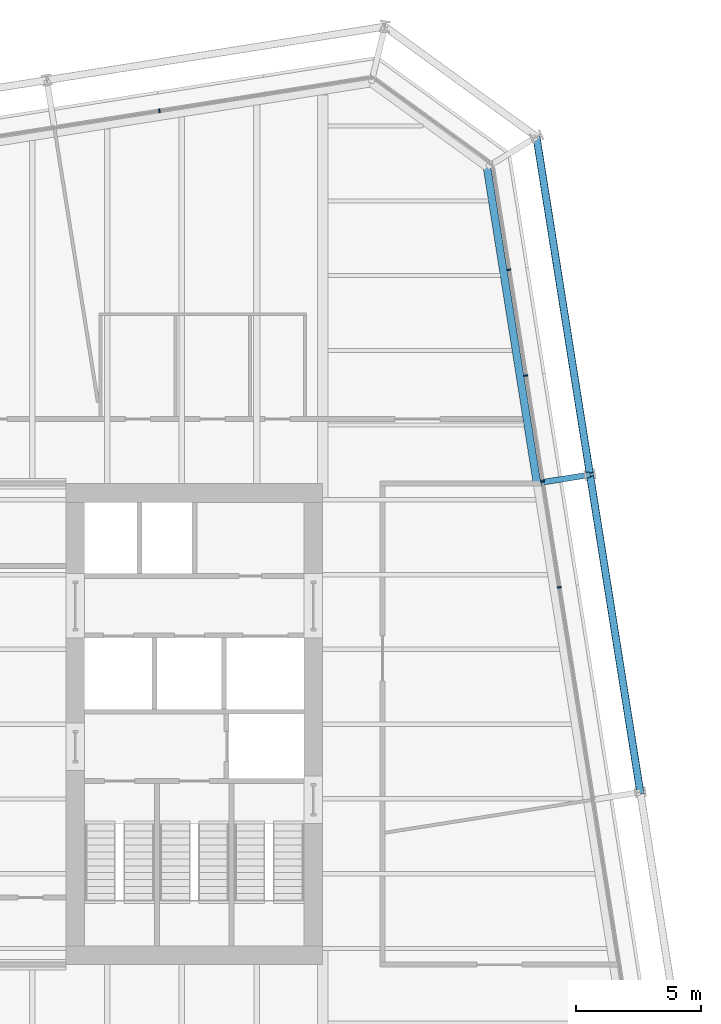
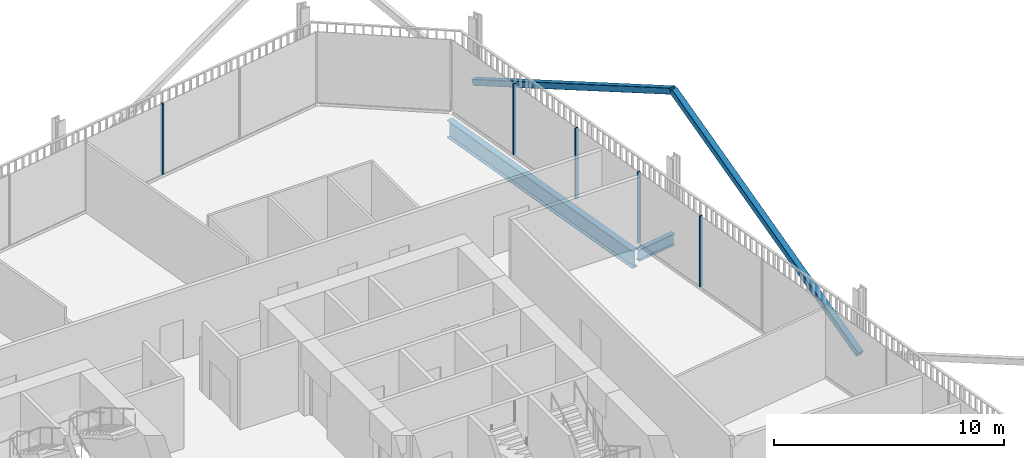
# One storey, part 15 of 22: 7 members, 2 beams, 2 elements without a shape of their own.
"""IFC4 building model written with IfcOpenShell, lengths in metres."""

from ifc_helpers import new_model, si_unit, direction, frame, origin, origin_2d, place, context, subcontext, project, spatial, rectangle, hollow_rectangle, i_section, extrude, material, layer, layer_set, material_profile, profile_set, type_object, element, aggregate, save


model = new_model("IFC4")

# Units and contexts
model_context = context("Model", 3, precision=1e-05, world=origin(), true_north=direction((0.0, 1.0)))
body_context = subcontext(model_context, "Body", "Model", "MODEL_VIEW")
ifc_project = project(units=[si_unit("LENGTHUNIT", "METRE"), si_unit("AREAUNIT", "SQUARE_METRE"), si_unit("VOLUMEUNIT", "CUBIC_METRE"), si_unit("PLANEANGLEUNIT", "RADIAN"), si_unit("MASSUNIT", "GRAM", prefix="KILO")], contexts=[model_context])

# Site, building, storey
site_placement = place(None, origin())
site = spatial("IfcSite", under=ifc_project, at=site_placement, CompositionType="ELEMENT")
building_placement = place(site_placement, origin())
building = spatial("IfcBuilding", under=site, at=building_placement, Name="Millrace Tower", CompositionType="ELEMENT")
storey_placement = place(building_placement, frame((0.0, 0.0, 160.699951171875)))
storey = spatial("IfcBuildingStorey", under=building, at=storey_placement, Name="L36", CompositionType="ELEMENT", Elevation=160.699951171875)

# Curtain wall, members
ifc_material_1 = material(Name="Aluminium and glass", Category="aluminium")
ifc_layer = layer(ifc_material_1, 0.14990234375)
ifc_layer_set = layer_set([ifc_layer], Name="Aluminium and glass")
curtain_wall_type = type_object("IfcCurtainWallType", Name="CW-1 office vision curtain wall", PredefinedType="NOTDEFINED", material=ifc_layer_set)
placement = place(storey_placement, origin())
curtain_wall_1 = element("IfcCurtainWall", 1, at=placement, inside=storey, type_object=curtain_wall_type, Name="Curtain wall C-F04 L36", PredefinedType="NOTDEFINED")
ifc_material_2 = material(Name="Aluminium", Category="aluminium")
ifc_material_profile_1 = material_profile(ifc_material_2, rectangle(XDim=0.06494140625, YDim=0.14990234375, at=origin_2d()))
ifc_profile_set_1 = profile_set([ifc_material_profile_1], Name="Aluminium")
member_type_1 = type_object("IfcMemberType", Name="CW-1 office vision curtain wall mullion", PredefinedType="MULLION", material=ifc_profile_set_1)
member_1_placement = place(storey_placement, frame((24.143310546875, 5.49365234375, 0.14013671875), z_axis=(0.0, 0.0, 1.0), x_axis=(-0.15643447328, 0.98768833929, 0.0)))
member_1 = element("IfcMember", 2, at=member_1_placement, type_object=member_type_1, Name="CW1 mullion C-F04.6", PredefinedType="MULLION", context=body_context, shape_type="SweptSolid", body=[
    extrude(rectangle(XDim=0.06494140625, YDim=0.14990234375, at=origin_2d()), origin(), (0.0, 0.0, 1.0), 3.760009765625),
])
member_2_placement = place(storey_placement, frame((23.470703125, 9.74072265625, 0.14013671875), z_axis=(0.0, 0.0, 1.0), x_axis=(-0.15643447328, 0.98768833929, 0.0)))
member_2 = element("IfcMember", 3, at=member_2_placement, type_object=member_type_1, Name="CW1 mullion C-F04.7", PredefinedType="MULLION", context=body_context, shape_type="SweptSolid", body=[
    extrude(rectangle(XDim=0.06494140625, YDim=0.14990234375, at=origin_2d()), origin(), (0.0, 0.0, 1.0), 3.760009765625),
])
member_3_placement = place(storey_placement, frame((22.798095703125, 13.98779296875, 0.14013671875), z_axis=(0.0, 0.0, 1.0), x_axis=(-0.15643447328, 0.98768833929, 0.0)))
member_3 = element("IfcMember", 4, at=member_3_placement, type_object=member_type_1, Name="CW1 mullion C-F04.8", PredefinedType="MULLION", context=body_context, shape_type="SweptSolid", body=[
    extrude(rectangle(XDim=0.06494140625, YDim=0.14990234375, at=origin_2d()), origin(), (0.0, 0.0, 1.0), 3.760009765625),
])
member_4_placement = place(storey_placement, frame((22.125244140625, 18.23486328125, 0.14013671875), z_axis=(0.0, 0.0, 1.0), x_axis=(-0.15643447328, 0.98768833929, 0.0)))
member_4 = element("IfcMember", 5, at=member_4_placement, type_object=member_type_1, Name="CW1 mullion C-F04.9", PredefinedType="MULLION", context=body_context, shape_type="SweptSolid", body=[
    extrude(rectangle(XDim=0.06494140625, YDim=0.14990234375, at=origin_2d()), origin(), (0.0, 0.0, 1.0), 3.760009765625),
])
aggregate(curtain_wall_1, [member_1, member_2, member_3, member_4])

# Curtain wall, member
curtain_wall_2 = element("IfcCurtainWall", 6, at=placement, inside=storey, type_object=curtain_wall_type, Name="Curtain wall C-F06 L36", PredefinedType="NOTDEFINED")
member_5_placement = place(storey_placement, frame((8.09765625, 24.611328125, 0.14013671875), z_axis=(0.0, 0.0, 1.0), x_axis=(-0.98768833929, -0.15643447328, 0.0)))
member_5 = element("IfcMember", 7, at=member_5_placement, type_object=member_type_1, Name="CW1 mullion C-F06.3", PredefinedType="MULLION", context=body_context, shape_type="SweptSolid", body=[
    extrude(rectangle(XDim=0.06494140625, YDim=0.14990234375, at=origin_2d()), origin(), (0.0, 0.0, 1.0), 3.760009765625),
])
aggregate(curtain_wall_2, [member_5])

# Members
ifc_material_3 = material(Name="Steel ASTM A500 Grade C", Category="steel")
ifc_material_profile_2 = material_profile(ifc_material_3, hollow_rectangle(XDim=0.3046875, YDim=0.3046875, WallThickness=0.0126953125, InnerFilletRadius=0.00634765625, OuterFilletRadius=0.01904296875, at=origin_2d()))
ifc_profile_set_2 = profile_set([ifc_material_profile_2], Name="Steel ASTM A500 Grade C")
member_type_2 = type_object("IfcMemberType", Name="Exoskeleton brace HSS12x12x1/2", PredefinedType="BRACE", material=ifc_profile_set_2)
member_6_placement = place(storey_placement, frame((27.39501953125, -2.7314453125, 0.400146484375), z_axis=(-0.137499609887, 0.868113917345, 0.476940335673), x_axis=(-0.987687659758, -0.156438763615, 0.0)))
element("IfcMember", 8, at=member_6_placement, inside=storey, type_object=member_type_2, Name="BRC-C-L36-07", PredefinedType="BRACE", context=body_context, shape_type="SweptSolid", body=[
    extrude(hollow_rectangle(XDim=0.3046875, YDim=0.3046875, WallThickness=0.0126953125, InnerFilletRadius=0.00634765625, OuterFilletRadius=0.01904296875, at=origin_2d()), origin(), (0.0, 0.0, 1.0), 14.677001953125),
])
member_7_placement = place(storey_placement, frame((23.2294921875, 23.569091796875, 0.400146484375), z_axis=(0.139355372932, -0.879906554943, 0.454251620363), x_axis=(0.987689751328, 0.156425557764, 0.0)))
element("IfcMember", 9, at=member_7_placement, inside=storey, type_object=member_type_2, Name="BRC-C-L36-08", PredefinedType="BRACE", context=body_context, shape_type="SweptSolid", body=[
    extrude(hollow_rectangle(XDim=0.3046875, YDim=0.3046875, WallThickness=0.0126953125, InnerFilletRadius=0.00634765625, OuterFilletRadius=0.01904296875, at=origin_2d()), origin(), (0.0, 0.0, 1.0), 15.409912109375),
])

# Beams
ifc_material_4 = material(Name="Steel ASTM A992 Grade 50", Category="steel")
ifc_material_profile_3 = material_profile(ifc_material_4, i_section(OverallWidth=0.23046875, OverallDepth=0.6171875, WebThickness=0.01318359375, FlangeThickness=0.022216796875, FilletRadius=0.012939453125, at=origin_2d()))
ifc_profile_set_3 = profile_set([ifc_material_profile_3], Name="Steel ASTM A992 Grade 50")
beam_type_1 = type_object("IfcBeamType", Name="Link beam W24x94", PredefinedType="BEAM", material=ifc_profile_set_3)
beam_1_placement = place(storey_placement, frame((23.401611328125, 9.69677734375, -0.468505859375), z_axis=(0.987678691416, 0.156495375404, 0.0), x_axis=(-0.156495375404, 0.987678691416, 0.0)))
element("IfcBeam", 10, at=beam_1_placement, inside=storey, type_object=beam_type_1, Name="LNK-C-L36-S1-10", PredefinedType="BEAM", context=body_context, shape_type="SweptSolid", body=[
    extrude(i_section(OverallWidth=0.23046875, OverallDepth=0.6171875, WebThickness=0.01318359375, FlangeThickness=0.022216796875, FilletRadius=0.012939453125, at=origin_2d()), origin(), (0.0, 0.0, 1.0), 2.0),
])
ifc_material_5 = material(Name="Steel ASTM A992 Grade 50", Category="steel")
ifc_material_profile_4 = material_profile(ifc_material_5, i_section(OverallWidth=0.307373046875, OverallDepth=0.927001953125, WebThickness=0.01953125, FlangeThickness=0.031982421875, FilletRadius=0.01904296875, at=origin_2d()))
ifc_profile_set_4 = profile_set([ifc_material_profile_4], Name="Steel ASTM A992 Grade 50")
beam_type_2 = type_object("IfcBeamType", Name="Ring beam medium span W36x194", PredefinedType="SPANDREL", material=ifc_profile_set_4)
beam_2_placement = place(storey_placement, frame((21.241943359375, 22.35107421875, -0.62353515625), z_axis=(0.156436246498, -0.987688058438, 0.0), x_axis=(0.987688058438, 0.156436246498, 0.0)))
element("IfcBeam", 11, at=beam_2_placement, inside=storey, type_object=beam_type_2, Name="RNG-C-L36-S1-09", PredefinedType="SPANDREL", context=body_context, shape_type="SweptSolid", body=[
    extrude(i_section(OverallWidth=0.307373046875, OverallDepth=0.927001953125, WebThickness=0.01953125, FlangeThickness=0.031982421875, FilletRadius=0.01904296875, at=origin_2d()), origin(), (0.0, 0.0, 1.0), 12.836181640625),
])

save(model, "model.ifc")
